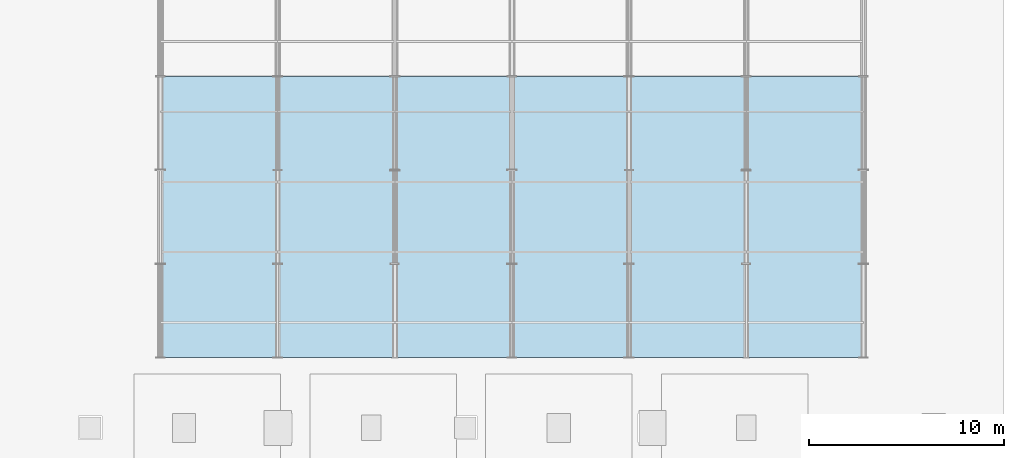
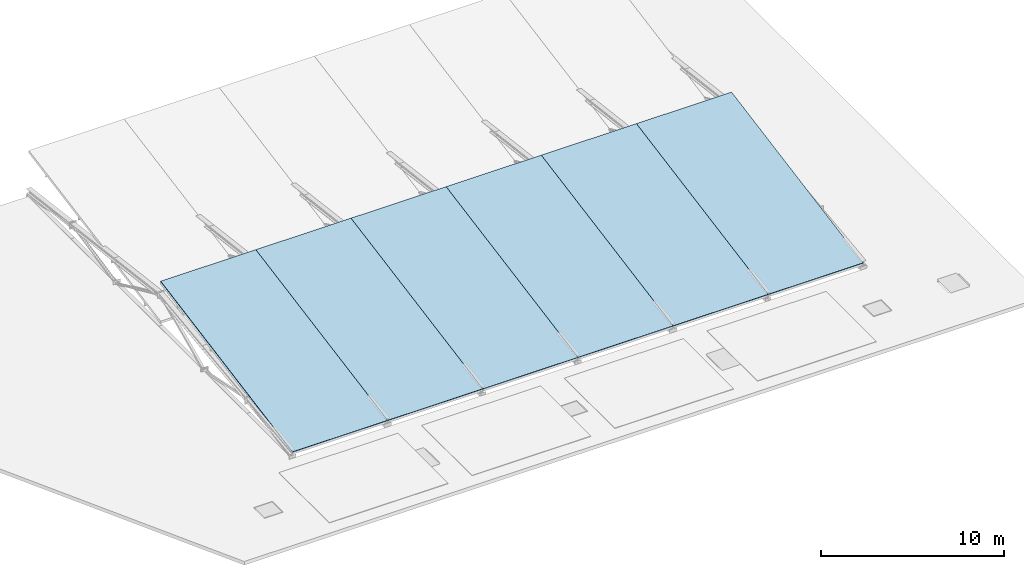
# One storey, part 24 of 32: 6 roofs.
"""IFC4 building model written with IfcOpenShell, lengths in metres."""

from ifc_helpers import new_model, si_unit, direction, frame, origin, place, context, subcontext, project, spatial, polyline, outline, extrude, material, layer, layer_set, type_object, element, save


model = new_model("IFC4")

# Units and contexts
model_context = context("Model", 3, precision=1e-05, world=origin(), true_north=direction((0.0, 1.0)))
body_context = subcontext(model_context, "Body", "Model", "MODEL_VIEW")
ifc_project = project(units=[si_unit("LENGTHUNIT", "METRE"), si_unit("AREAUNIT", "SQUARE_METRE"), si_unit("VOLUMEUNIT", "CUBIC_METRE"), si_unit("PLANEANGLEUNIT", "RADIAN"), si_unit("MASSUNIT", "GRAM", prefix="KILO")], contexts=[model_context])

# Site, building, storey
site_placement = place(None, origin())
site = spatial("IfcSite", under=ifc_project, at=site_placement, CompositionType="ELEMENT")
building_placement = place(site_placement, origin())
building = spatial("IfcBuilding", under=site, at=building_placement, Name="Brisavento Harbour Community Centre", CompositionType="ELEMENT")
storey_placement = place(building_placement, frame((0.0, 0.0, 12.89990234375)))
storey = spatial("IfcBuildingStorey", under=building, at=storey_placement, Name="L03", CompositionType="ELEMENT", Elevation=12.89990234375)

# Roofs
ifc_material = material(Name="Steel S355", Category="steel")
ifc_layer = layer(ifc_material, 0.179931640625, Name="Steel S355")
ifc_layer_set = layer_set([ifc_layer], Name="Steel S355")
roof_type = type_object("IfcRoofType", Name="ROOF-SHED", PredefinedType="SHED_ROOF", material=ifc_layer_set)
for number, where, z_axis, x_axis, name in (
    (1, (129.60009765625, 86.39990234375, 0.420166015625), (0.0, -0.180980362943, 0.983486709737), (1.0, 0.0, 0.0), "Sports Hall north-light shed roof 1"),
    (2, (135.60009765625, 86.39990234375, 0.420166015625), (0.0, -0.180980362943, 0.983486709737), (1.0, 0.0, 0.0), "Sports Hall north-light shed roof 2"),
    (3, (141.60009765625, 86.39990234375, 0.420166015625), (0.0, -0.180980362943, 0.983486709737), (1.0, 0.0, 0.0), "Sports Hall north-light shed roof 3"),
    (4, (147.60009765625, 86.39990234375, 0.420166015625), (0.0, -0.180980362943, 0.983486709737), (1.0, 0.0, 0.0), "Sports Hall north-light shed roof 4"),
    (5, (153.60009765625, 86.39990234375, 0.420166015625), (0.0, -0.180980362943, 0.983486709737), (1.0, 0.0, 0.0), "Sports Hall north-light shed roof 5"),
    (6, (159.60009765625, 86.39990234375, 0.420166015625), (0.0, -0.180980362943, 0.983486709737), (1.0, 0.0, 0.0), "Sports Hall north-light shed roof 6"),
):
    element("IfcRoof", number, at=place(storey_placement, frame(where, z_axis=z_axis, x_axis=x_axis)), inside=storey, type_object=roof_type, Name=name, PredefinedType="SHED_ROOF", context=body_context, shape_type="SweptSolid", body=[
        extrude(outline(polyline([(0.0, 0.0), (6.0, 0.0), (6.0, 14.641932973582055), (0.0, 14.641932973582055), (0.0, 0.0)])), origin(), (0.0, 0.0, -1.0), 0.06005859375),
    ])

save(model, "model.ifc")
